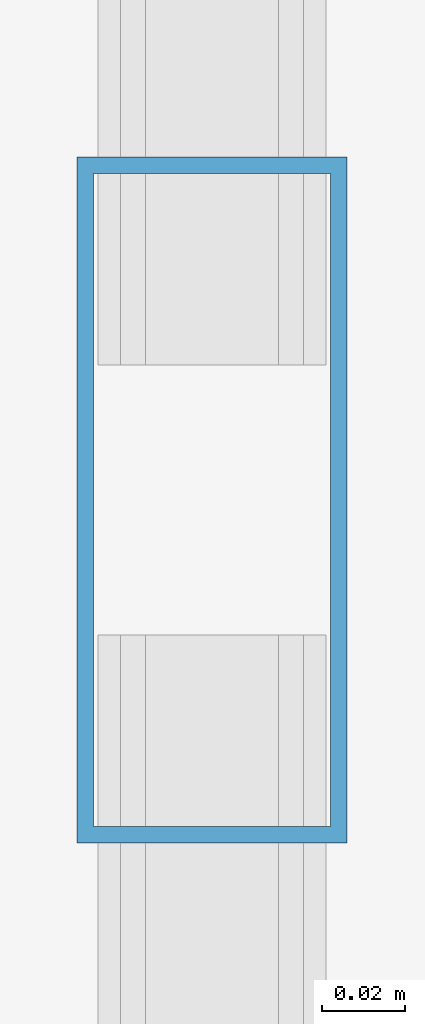
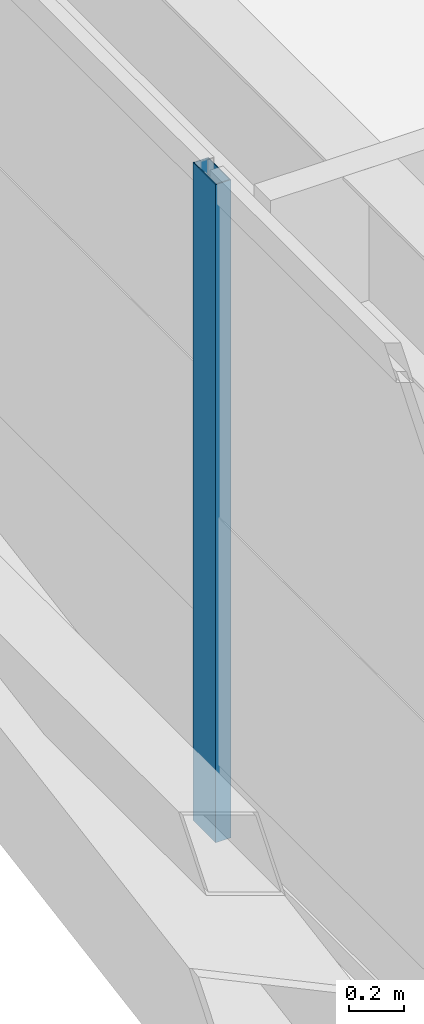
# One storey, part 8 of 59: 1 member, 1 element without a shape of its own.
"""IFC4 building model written with IfcOpenShell, lengths in metres."""

from ifc_helpers import new_model, si_unit, direction, frame, origin, origin_2d, place, context, subcontext, project, spatial, hollow_rectangle, extrude, source, transform, mapped, material, layer, layer_set, material_profile, profile_set, type_object, element, aggregate, save


model = new_model("IFC4")

# Units and contexts
model_context = context("Model", 3, precision=1e-05, world=origin(), true_north=direction((0.0, 1.0)))
body_context = subcontext(model_context, "Body", "Model", "MODEL_VIEW")
ifc_project = project(units=[si_unit("LENGTHUNIT", "METRE"), si_unit("AREAUNIT", "SQUARE_METRE"), si_unit("VOLUMEUNIT", "CUBIC_METRE"), si_unit("PLANEANGLEUNIT", "RADIAN"), si_unit("MASSUNIT", "GRAM", prefix="KILO")], contexts=[model_context])

# Site, building, storey
site_placement = place(None, origin())
site = spatial("IfcSite", under=ifc_project, at=site_placement, CompositionType="ELEMENT")
building_placement = place(site_placement, origin())
building = spatial("IfcBuilding", under=site, at=building_placement, Name="Taldren Reach Tower", CompositionType="ELEMENT")
storey_placement = place(building_placement, frame((0.0, 0.0, 29.39990234375)))
storey = spatial("IfcBuildingStorey", under=building, at=storey_placement, Name="L08", CompositionType="ELEMENT", Elevation=29.39990234375)

# Curtain wall, member
ifc_material_1 = material(Name="Aluminium and Low-E Glass Unitised System", Category="aluminium")
ifc_layer = layer(ifc_material_1, 0.159912109375)
ifc_layer_set = layer_set([ifc_layer], Name="Aluminium and Low-E Glass Unitised System")
curtain_wall_type = type_object("IfcCurtainWallType", Name="CW-SYS-2", PredefinedType="NOTDEFINED", material=ifc_layer_set)
curtain_wall_placement = place(storey_placement, origin())
curtain_wall = element("IfcCurtainWall", 1, at=curtain_wall_placement, inside=storey, type_object=curtain_wall_type, Name="Unitised curtain wall CW-L08-W", PredefinedType="NOTDEFINED")
ifc_material_2 = material(Name="Anodised Aluminium 6063-T6", Category="aluminium")
ifc_material_profile = material_profile(ifc_material_2, hollow_rectangle(XDim=0.06494140625, YDim=0.1650390625, WallThickness=0.00390625, at=origin_2d()), Name="ALU-165x65x4RHS")
ifc_profile_set = profile_set([ifc_material_profile], Name="Anodised Aluminium 6063-T6")
member_type = type_object("IfcMemberType", Name="CW-MUL-165", PredefinedType="MULLION", material=ifc_profile_set)
shared_shape = source(origin(), body_context, "Body", "SweptSolid", [
    extrude(hollow_rectangle(XDim=0.06494140625, YDim=0.1650390625, WallThickness=0.00390625, at=origin_2d()), origin(), (0.0, 0.0, 1.0), 2.93017578125),
])
member_placement = place(storey_placement, frame((5.139892578125, 11.388916015625, 0.0), z_axis=(0.0, 0.0, 1.0), x_axis=(1.0, 0.0, 0.0)))
member = element("IfcMember", 2, at=member_placement, type_object=member_type, Name="CW-2 mullion 8", PredefinedType="MULLION", context=body_context, shape_type="MappedRepresentation", body=[
    mapped(shared_shape, transform((0.0, 0.0, 0.0), scale=1.0)),
])
aggregate(curtain_wall, [member])

save(model, "model.ifc")
